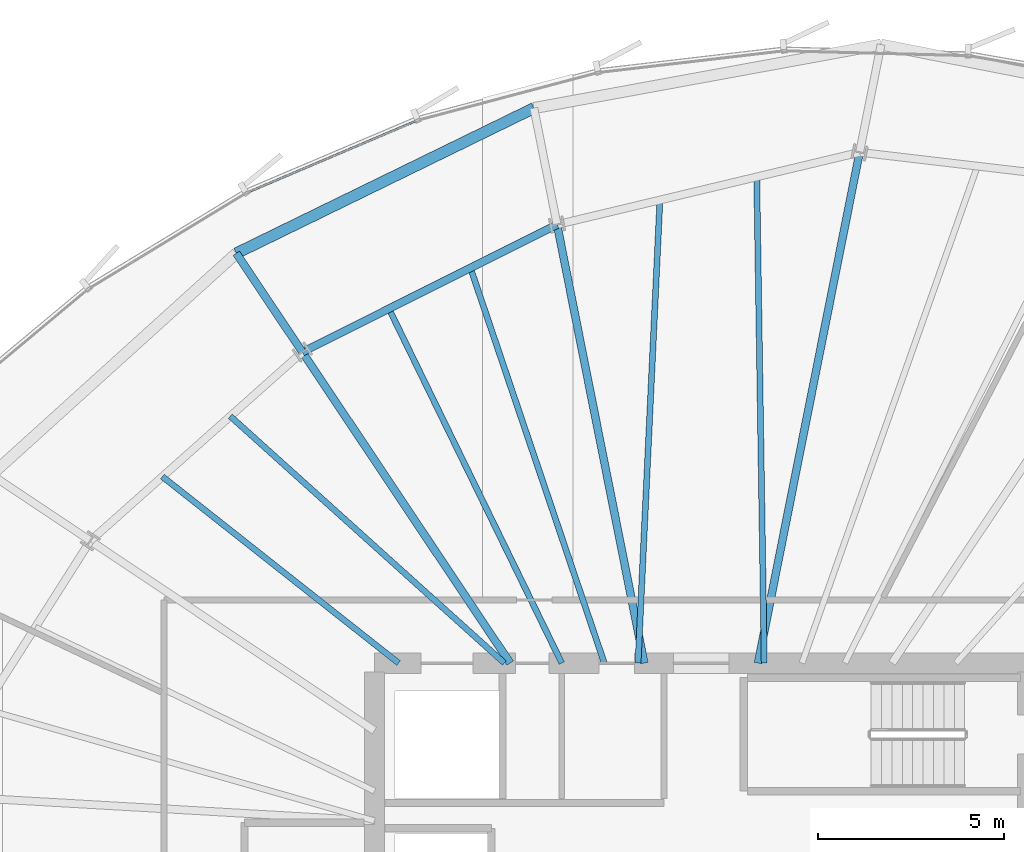
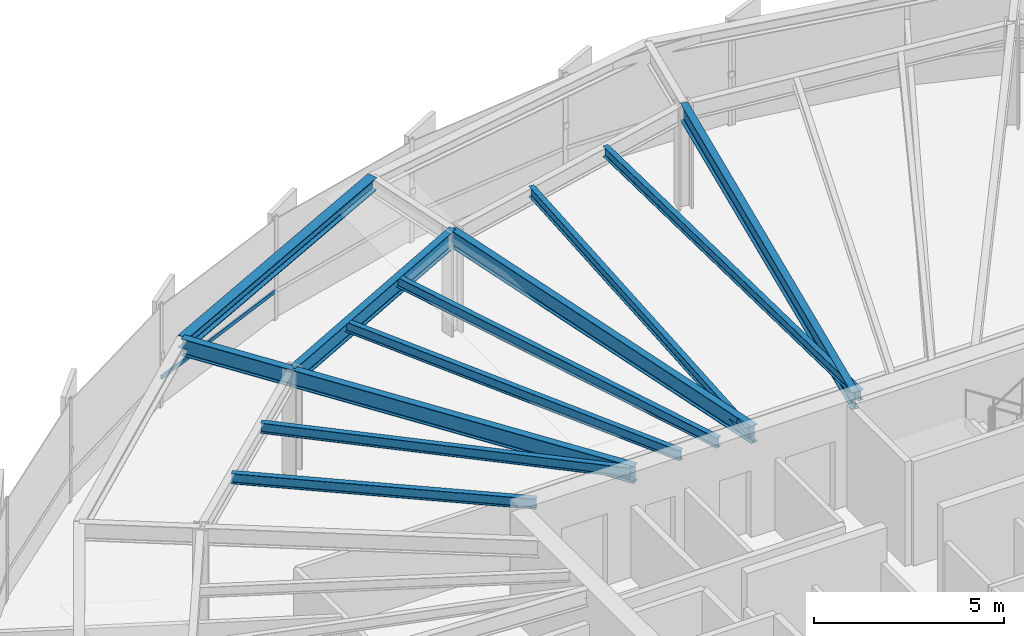
# One storey, part 20 of 33: 12 beams, 1 member, 1 element without a shape of its own.
"""IFC4 building model written with IfcOpenShell, lengths in metres."""

import ifcopenshell
import ifcopenshell.guid

model = None  # the IFC model being written
_history = None  # IfcOwnerHistory: only IFC2X3 demands one
_inside = {}  # id of a spatial element -> (the spatial element, [elements in it])
_under = {}  # id of a project, library or spatial element -> (it, [spatial elements below it])
_declared = {}  # id of a project -> (the project, [libraries it declares])
_typed = {}  # id of a type object -> (the type object, [elements of that type])
_made_of = {}  # id of a material, layer set ... -> (it, [elements and type objects made of it])


def new_model(schema):
    """Start an empty IFC model of exactly this schema.

    Asked for "IFC4X3", IfcOpenShell would pick the latest addendum, in which some entities
    have other attributes; the version numbers below select the first issue.
    IFC2X3 requires an IfcOwnerHistory on every rooted entity: one is made here for all.
    """
    global model, _history
    if schema == "IFC4X3":
        model = ifcopenshell.file(schema_version=(4, 3, 0, 0))
    else:
        model = ifcopenshell.file(schema=schema)
    _inside.clear()
    _under.clear()
    _declared.clear()
    _typed.clear()
    _made_of.clear()
    _history = None
    if model.schema == "IFC2X3":
        org = make("IfcOrganization", Name="unknown")
        user = make(
            "IfcPersonAndOrganization",
            ThePerson=make("IfcPerson", FamilyName="unknown"),
            TheOrganization=org,
        )
        app = make(
            "IfcApplication",
            ApplicationDeveloper=org,
            Version="unknown",
            ApplicationFullName="unknown",
            ApplicationIdentifier="unknown",
        )
        _history = make(
            "IfcOwnerHistory",
            OwningUser=user,
            OwningApplication=app,
            ChangeAction="ADDED",
            CreationDate=0,
        )
    return model


def make(cls, **values):
    """One entity of the class cls with the attributes given. An attribute that is None is left unset."""
    return model.create_entity(
        cls, **{name: value for name, value in values.items() if value is not None}
    )


def rooted(cls, **values):
    """An entity with a GlobalId (a new one), such as an element, a storey or a relation."""
    return make(cls, GlobalId=ifcopenshell.guid.new(), OwnerHistory=_history, **values)


def si_unit(unit_type, name, prefix=None):
    """IfcSIUnit, for example si_unit("LENGTHUNIT", "METRE", prefix="MILLI")."""
    return make("IfcSIUnit", UnitType=unit_type, Prefix=prefix, Name=name)


def assignment(units):
    """IfcUnitAssignment: the units of a project."""
    return None if units is None else make("IfcUnitAssignment", Units=units)


def point(xyz):
    """IfcCartesianPoint."""
    return None if xyz is None else make("IfcCartesianPoint", Coordinates=xyz)


def direction(xyz):
    """IfcDirection."""
    return None if xyz is None else make("IfcDirection", DirectionRatios=xyz)


def frame(location, z_axis=None, x_axis=None):
    """IfcAxis2Placement3D, a coordinate frame: its origin and axes. An axis left out is left unset."""
    return make(
        "IfcAxis2Placement3D",
        Location=point(location),
        Axis=direction(z_axis),
        RefDirection=direction(x_axis),
    )


def frame_2d(location, x_axis=None):
    """IfcAxis2Placement2D, a coordinate frame in the plane: its origin and x axis."""
    return make(
        "IfcAxis2Placement2D", Location=point(location), RefDirection=direction(x_axis)
    )


def origin():
    """The frame at (0, 0, 0) with its axes left unset."""
    return frame((0.0, 0.0, 0.0))


def origin_2d():
    """The frame at (0, 0) in the plane with its x axis left unset."""
    return frame_2d((0.0, 0.0))


def place(relative_to, where):
    """IfcLocalPlacement: puts the frame where relative to a parent placement (None: the world)."""
    return make(
        "IfcLocalPlacement", PlacementRelTo=relative_to, RelativePlacement=where
    )


def context(
    kind, dimensions, precision=None, world=None, true_north=None, identifier=None
):
    """IfcGeometricRepresentationContext, for example the 3D "Model" context."""
    return make(
        "IfcGeometricRepresentationContext",
        ContextIdentifier=identifier,
        ContextType=kind,
        CoordinateSpaceDimension=dimensions,
        Precision=precision,
        WorldCoordinateSystem=world,
        TrueNorth=true_north,
    )


def subcontext(parent, identifier, kind, view, scale=None):
    """IfcGeometricRepresentationSubContext, for example "Body" below "Model"."""
    return make(
        "IfcGeometricRepresentationSubContext",
        ContextIdentifier=identifier,
        ContextType=kind,
        ParentContext=parent,
        TargetScale=scale,
        TargetView=view,
    )


def project(units=None, contexts=None):
    """IfcProject with its units and contexts."""
    return rooted(
        "IfcProject",
        Name="project",
        RepresentationContexts=contexts,
        UnitsInContext=assignment(units),
    )


def spatial(cls, under=None, at=None, **own):
    """A site, building, storey or space (cls), placed at a placement, below another one or the project."""
    s = rooted(cls, ObjectPlacement=at, **own)
    if under is not None:
        _under.setdefault(under.id(), (under, []))[1].append(s)
    return s


def profile(cls, at=None, kind="AREA", **sizes):
    """A parametric profile (cls). Its sizes go by their IFC names, for example OverallWidth=200.0."""
    return make(cls, ProfileType=kind, Position=at, **sizes)


def hollow_rectangle(**sizes):
    """IfcRectangleHollowProfileDef."""
    return profile("IfcRectangleHollowProfileDef", **sizes)


def i_section(**sizes):
    """IfcIShapeProfileDef."""
    return profile("IfcIShapeProfileDef", **sizes)


def extrude(swept, where, along, depth):
    """IfcExtrudedAreaSolid: the profile swept, set in the frame where, extruded along a direction by depth."""
    return make(
        "IfcExtrudedAreaSolid",
        SweptArea=swept,
        Position=where,
        ExtrudedDirection=direction(along),
        Depth=depth,
    )


def shape(context_of_items, identifier, shape_type, items):
    """IfcShapeRepresentation: the items that make up one representation, for example the "Body"."""
    return make(
        "IfcShapeRepresentation",
        ContextOfItems=context_of_items,
        RepresentationIdentifier=identifier,
        RepresentationType=shape_type,
        Items=items,
    )


def source(mapping_origin, context_of_items, identifier, shape_type, items):
    """IfcRepresentationMap: a shape defined once, which mapped items show again and again."""
    return make(
        "IfcRepresentationMap",
        MappingOrigin=mapping_origin,
        MappedRepresentation=shape(context_of_items, identifier, shape_type, items),
    )


def transform(
    local_origin,
    x_axis=None,
    y_axis=None,
    z_axis=None,
    scale=None,
    scale2=None,
    scale3=None,
    uniform=True,
):
    """IfcCartesianTransformationOperator3D, or its non-uniform kind. x_axis, y_axis, z_axis: its Axis1, 2, 3."""
    if uniform:
        return make(
            "IfcCartesianTransformationOperator3D",
            Axis1=direction(x_axis),
            Axis2=direction(y_axis),
            LocalOrigin=point(local_origin),
            Scale=scale,
            Axis3=direction(z_axis),
        )
    return make(
        "IfcCartesianTransformationOperator3DnonUniform",
        Axis1=direction(x_axis),
        Axis2=direction(y_axis),
        LocalOrigin=point(local_origin),
        Scale=scale,
        Axis3=direction(z_axis),
        Scale2=scale2,
        Scale3=scale3,
    )


def mapped(mapping_source, mapping_target):
    """IfcMappedItem: shows the shape of a source again, moved by a transform."""
    return make(
        "IfcMappedItem", MappingSource=mapping_source, MappingTarget=mapping_target
    )


def material(Name=None, Category=None):
    """IfcMaterial."""
    return make("IfcMaterial", Name=Name, Category=Category)


def layer(
    of_material, thickness, ventilated=None, Name=None, Category=None, Priority=None
):
    """IfcMaterialLayer: one layer of a wall or slab, of a material (None: an air gap)."""
    return make(
        "IfcMaterialLayer",
        Material=of_material,
        LayerThickness=thickness,
        IsVentilated=ventilated,
        Name=Name,
        Category=Category,
        Priority=Priority,
    )


def layer_set(layers, Name=None):
    """IfcMaterialLayerSet."""
    return make("IfcMaterialLayerSet", MaterialLayers=layers, LayerSetName=Name)


def material_profile(
    of_material, cross_section, Name=None, Category=None, Priority=None
):
    """IfcMaterialProfile: a cross section and its material."""
    return make(
        "IfcMaterialProfile",
        Name=Name,
        Material=of_material,
        Profile=cross_section,
        Priority=Priority,
        Category=Category,
    )


def profile_set(profiles, Name=None, composite=None):
    """IfcMaterialProfileSet."""
    return make(
        "IfcMaterialProfileSet",
        Name=Name,
        MaterialProfiles=profiles,
        CompositeProfile=composite,
    )


def made_of(thing, what):
    """Note that an element or type object is made of a material, layer set ...; save() writes the relation."""
    if what is not None:
        _made_of.setdefault(what.id(), (what, []))[1].append(thing)
    return thing


def type_object(cls, material=None, **own):
    """A type object (cls), such as IfcWallType, which elements share."""
    return made_of(rooted(cls, **own), material)


def element(
    cls,
    number,
    at=None,
    inside=None,
    cuts=None,
    type_object=None,
    material=None,
    context=None,
    identifier="Body",
    shape_type=None,
    held_by="IfcProductDefinitionShape",
    body=None,
    shapes=None,
    **own,
):
    """One element of the class cls, such as IfcWall. Its Tag is "e" and its number.

    at: its placement. inside: the storey or other place that contains it. cuts: it is an
    opening in that element (IfcRelVoidsElement). A single representation is given by context,
    identifier, shape_type and body (its items); several are given by shapes. held_by: the class
    of the entity that holds the representations. save() writes the other relations.
    """
    e = rooted(cls, Tag="e%d" % number, ObjectPlacement=at, **own)
    if body is not None:
        shapes = [shape(context, identifier, shape_type, body)]
    if shapes is not None:
        e.Representation = make(held_by, Representations=shapes)
    if inside is not None:
        _inside.setdefault(inside.id(), (inside, []))[1].append(e)
    if cuts is not None:
        rooted(
            "IfcRelVoidsElement", RelatingBuildingElement=cuts, RelatedOpeningElement=e
        )
    if type_object is not None:
        _typed.setdefault(type_object.id(), (type_object, []))[1].append(e)
    return made_of(e, material)


def aggregate(whole, parts):
    """IfcRelAggregates: a whole, such as a stair, and the parts it consists of."""
    return rooted("IfcRelAggregates", RelatingObject=whole, RelatedObjects=parts)


def save(model, path):
    """Write the relations noted so far, then the file.

    IfcRelAggregates (storeys below a building ...), IfcRelContainedInSpatialStructure (elements
    in a storey), IfcRelDefinesByType, IfcRelAssociatesMaterial and IfcRelDeclares: one each for
    every whole, place, type object, material and project.
    """
    for whole, parts in _under.values():
        aggregate(whole, parts)
    for where, things in _inside.values():
        rooted(
            "IfcRelContainedInSpatialStructure",
            RelatedElements=things,
            RelatingStructure=where,
        )
    for kind, things in _typed.values():
        rooted("IfcRelDefinesByType", RelatedObjects=things, RelatingType=kind)
    for what, things in _made_of.values():
        rooted("IfcRelAssociatesMaterial", RelatedObjects=things, RelatingMaterial=what)
    for by, libraries in _declared.values():
        rooted("IfcRelDeclares", RelatingContext=by, RelatedDefinitions=libraries)
    model.write(path)


model = new_model("IFC4")

# Units and contexts
model_context = context("Model", 3, precision=1e-05, world=origin(), true_north=direction((0.0, 1.0)))
body_context = subcontext(model_context, "Body", "Model", "MODEL_VIEW")
ifc_project = project(units=[si_unit("LENGTHUNIT", "METRE"), si_unit("AREAUNIT", "SQUARE_METRE"), si_unit("VOLUMEUNIT", "CUBIC_METRE"), si_unit("PLANEANGLEUNIT", "RADIAN"), si_unit("MASSUNIT", "GRAM", prefix="KILO"), si_unit("THERMODYNAMICTEMPERATUREUNIT", "KELVIN")], contexts=[model_context])

# Site, building, storey
site_placement = place(None, origin())
site = spatial("IfcSite", under=ifc_project, at=site_placement, CompositionType="ELEMENT")
building_placement = place(site_placement, origin())
building = spatial("IfcBuilding", under=site, at=building_placement, Name="Kethvar Cultural Tower", CompositionType="ELEMENT")
storey_placement = place(building_placement, frame((0.0, 0.0, 110.800048828125)))
storey = spatial("IfcBuildingStorey", under=building, at=storey_placement, Name="L27", CompositionType="ELEMENT", Elevation=110.800048828125)

# Beams
ifc_material_1 = material(Name="Steel S355J2", Category="steel")
ifc_material_profile_1 = material_profile(ifc_material_1, i_section(OverallWidth=0.2099609375, OverallDepth=0.550048828125, WebThickness=0.010986328125, FlangeThickness=0.01708984375, FilletRadius=0.02392578125, at=origin_2d()), Name="Steel S355J2 — IPE550")
ifc_profile_set_1 = profile_set([ifc_material_profile_1], Name="Steel S355J2 — IPE550")
beam_type_1 = type_object("IfcBeamType", Name="BM-IPE550", PredefinedType="BEAM", material=ifc_profile_set_1)
shared_shape_1 = source(origin(), body_context, "Body", "SweptSolid", [
    extrude(i_section(OverallWidth=0.2099609375, OverallDepth=0.550048828125, WebThickness=0.010986328125, FlangeThickness=0.01708984375, FilletRadius=0.02392578125, at=origin_2d()), origin(), (0.0, 0.0, 1.0), 3.2001953125),
])
beam_1_placement = place(storey_placement, frame((36.0576171875, 43.877197265625, 3.072998046875), z_axis=(-0.555544970406, 0.831486491686, 0.0), x_axis=(-0.831486491686, -0.555544970406, 0.0)))
element("IfcBeam", 1, at=beam_1_placement, inside=storey, type_object=beam_type_1, Name="L27 Perimeter Cantilever Beam RC-06", PredefinedType="BEAM", context=body_context, shape_type="MappedRepresentation", body=[
    mapped(shared_shape_1, transform((0.0, 0.0, 0.0), scale=1.0)),
])
shared_shape_2 = source(origin(), body_context, "Body", "SweptSolid", [
    extrude(i_section(OverallWidth=0.2099609375, OverallDepth=0.550048828125, WebThickness=0.010986328125, FlangeThickness=0.01708984375, FilletRadius=0.02392578125, at=origin_2d()), origin(), (0.0, 0.0, 1.0), 14.02880859375),
])
beam_2_placement = place(storey_placement, frame((48.33154296875, 35.5, 3.072998046875), z_axis=(0.195101986683, 0.980782960085, 0.0), x_axis=(-0.980782960085, 0.195101986683, 0.0)))
element("IfcBeam", 2, at=beam_2_placement, inside=storey, type_object=beam_type_1, Name="L27 Primary Radial Beam RB-04", PredefinedType="BEAM", context=body_context, shape_type="MappedRepresentation", body=[
    mapped(shared_shape_2, transform((0.0, 0.0, 0.0), scale=1.0)),
])
shared_shape_3 = source(origin(), body_context, "Body", "SweptSolid", [
    extrude(i_section(OverallWidth=0.2099609375, OverallDepth=0.550048828125, WebThickness=0.010986328125, FlangeThickness=0.01708984375, FilletRadius=0.02392578125, at=origin_2d()), origin(), (0.0, 0.0, 1.0), 12.042724609375),
])
beam_3_placement = place(storey_placement, frame((45.268310546875, 35.5, 3.072998046875), z_axis=(-0.195086784047, 0.980785984142, 0.0), x_axis=(-0.980785984142, -0.195086784047, 0.0)))
element("IfcBeam", 3, at=beam_3_placement, inside=storey, type_object=beam_type_1, Name="L27 Primary Radial Beam RB-05", PredefinedType="BEAM", context=body_context, shape_type="MappedRepresentation", body=[
    mapped(shared_shape_3, transform((0.0, 0.0, 0.0), scale=1.0)),
])
shared_shape_4 = source(origin(), body_context, "Body", "SweptSolid", [
    extrude(i_section(OverallWidth=0.2099609375, OverallDepth=0.550048828125, WebThickness=0.010986328125, FlangeThickness=0.01708984375, FilletRadius=0.02392578125, at=origin_2d()), origin(), (0.0, 0.0, 1.0), 10.0751953125),
])
beam_4_placement = place(storey_placement, frame((41.655029296875, 35.5, 3.072998046875), z_axis=(-0.555566654614, 0.831472003305, 0.0), x_axis=(-0.831472003305, -0.555566654614, 0.0)))
element("IfcBeam", 4, at=beam_4_placement, inside=storey, type_object=beam_type_1, Name="L27 Primary Radial Beam RB-06", PredefinedType="BEAM", context=body_context, shape_type="MappedRepresentation", body=[
    mapped(shared_shape_4, transform((0.0, 0.0, 0.0), scale=1.0)),
])
ifc_material_profile_2 = material_profile(ifc_material_1, i_section(OverallWidth=0.159912109375, OverallDepth=0.330078125, WebThickness=0.007568359375, FlangeThickness=0.011474609375, FilletRadius=0.01806640625, at=origin_2d()), Name="Steel S355J2 — IPE330")
ifc_profile_set_2 = profile_set([ifc_material_profile_2], Name="Steel S355J2 — IPE330")
beam_type_2 = type_object("IfcBeamType", Name="BM-J330", PredefinedType="JOIST", material=ifc_profile_set_2)
shared_shape_5 = source(origin(), body_context, "Body", "SweptSolid", [
    extrude(i_section(OverallWidth=0.159912109375, OverallDepth=0.330078125, WebThickness=0.007568359375, FlangeThickness=0.011474609375, FilletRadius=0.01806640625, at=origin_2d()), origin(), (0.0, 0.0, 1.0), 13.098388671875),
])
beam_5_placement = place(storey_placement, frame((48.5, 35.5, 3.182861328125), z_axis=(-0.015451599057, 0.999880616917, 0.0), x_axis=(-0.999880616917, -0.015451599057, 0.0)))
element("IfcBeam", 5, at=beam_5_placement, inside=storey, type_object=beam_type_2, Name="L27 Composite Floor Joist J-04A", PredefinedType="JOIST", context=body_context, shape_type="MappedRepresentation", body=[
    mapped(shared_shape_5, transform((0.0, 0.0, 0.0), scale=1.0)),
])
shared_shape_6 = source(origin(), body_context, "Body", "SweptSolid", [
    extrude(i_section(OverallWidth=0.159912109375, OverallDepth=0.330078125, WebThickness=0.007568359375, FlangeThickness=0.011474609375, FilletRadius=0.01806640625, at=origin_2d()), origin(), (0.0, 0.0, 1.0), 12.487548828125),
])
beam_6_placement = place(storey_placement, frame((45.10009765625, 35.5, 3.182861328125), z_axis=(0.047214958818, 0.998884751943, 0.0), x_axis=(-0.998884751943, 0.047214958818, 0.0)))
element("IfcBeam", 6, at=beam_6_placement, inside=storey, type_object=beam_type_2, Name="L27 Composite Floor Joist J-04B", PredefinedType="JOIST", context=body_context, shape_type="MappedRepresentation", body=[
    mapped(shared_shape_6, transform((0.0, 0.0, 0.0), scale=1.0)),
])
shared_shape_7 = source(origin(), body_context, "Body", "SweptSolid", [
    extrude(i_section(OverallWidth=0.2099609375, OverallDepth=0.550048828125, WebThickness=0.010986328125, FlangeThickness=0.01708984375, FilletRadius=0.02392578125, at=origin_2d()), origin(), (0.0, 0.0, 1.0), 7.672607421875),
])
beam_7_placement = place(storey_placement, frame((42.9189453125, 47.311279296875, 3.072998046875), z_axis=(-0.894248932057, -0.447569935892, 0.0), x_axis=(0.447569935892, -0.894248932057, 0.0)))
element("IfcBeam", 7, at=beam_7_placement, inside=storey, type_object=beam_type_1, Name="L27 Column Ring Tie Beam CR-05", PredefinedType="BEAM", context=body_context, shape_type="MappedRepresentation", body=[
    mapped(shared_shape_7, transform((0.0, 0.0, 0.0), scale=1.0)),
])
shared_shape_8 = source(origin(), body_context, "Body", "SweptSolid", [
    extrude(i_section(OverallWidth=0.159912109375, OverallDepth=0.330078125, WebThickness=0.007568359375, FlangeThickness=0.011474609375, FilletRadius=0.01806640625, at=origin_2d()), origin(), (0.0, 0.0, 1.0), 11.23779296875),
])
beam_8_placement = place(storey_placement, frame((44.191650390625, 35.5, 3.182861328125), z_axis=(-0.32083186626, 0.94713616423, 0.0), x_axis=(-0.94713616423, -0.32083186626, 0.0)))
element("IfcBeam", 8, at=beam_8_placement, inside=storey, type_object=beam_type_2, Name="L27 Composite Floor Joist J-05A", PredefinedType="JOIST", context=body_context, shape_type="MappedRepresentation", body=[
    mapped(shared_shape_8, transform((0.0, 0.0, 0.0), scale=1.0)),
])
shared_shape_9 = source(origin(), body_context, "Body", "SweptSolid", [
    extrude(i_section(OverallWidth=0.159912109375, OverallDepth=0.330078125, WebThickness=0.007568359375, FlangeThickness=0.011474609375, FilletRadius=0.01806640625, at=origin_2d()), origin(), (0.0, 0.0, 1.0), 10.619384765625),
])
beam_9_placement = place(storey_placement, frame((43.044921875, 35.5, 3.182861328125), z_axis=(-0.438308125028, 0.898824781331, 0.0), x_axis=(-0.898824781331, -0.438308125028, 0.0)))
element("IfcBeam", 9, at=beam_9_placement, inside=storey, type_object=beam_type_2, Name="L27 Composite Floor Joist J-05B", PredefinedType="JOIST", context=body_context, shape_type="MappedRepresentation", body=[
    mapped(shared_shape_9, transform((0.0, 0.0, 0.0), scale=1.0)),
])
shared_shape_10 = source(origin(), body_context, "Body", "SweptSolid", [
    extrude(i_section(OverallWidth=0.159912109375, OverallDepth=0.330078125, WebThickness=0.007568359375, FlangeThickness=0.011474609375, FilletRadius=0.01806640625, at=origin_2d()), origin(), (0.0, 0.0, 1.0), 9.93701171875),
])
beam_10_placement = place(storey_placement, frame((41.5, 35.5, 3.182861328125), z_axis=(-0.743138974967, 0.669137103952, 0.0), x_axis=(-0.669137103952, -0.743138974967, 0.0)))
element("IfcBeam", 10, at=beam_10_placement, inside=storey, type_object=beam_type_2, Name="L27 Composite Floor Joist J-06A", PredefinedType="JOIST", context=body_context, shape_type="MappedRepresentation", body=[
    mapped(shared_shape_10, transform((0.0, 0.0, 0.0), scale=1.0)),
])
shared_shape_11 = source(origin(), body_context, "Body", "SweptSolid", [
    extrude(i_section(OverallWidth=0.159912109375, OverallDepth=0.330078125, WebThickness=0.007568359375, FlangeThickness=0.011474609375, FilletRadius=0.01806640625, at=origin_2d()), origin(), (0.0, 0.0, 1.0), 8.105712890625),
])
beam_11_placement = place(storey_placement, frame((38.64990234375, 35.5, 3.182861328125), z_axis=(-0.784895872164, 0.619627686486, 0.0), x_axis=(-0.619627686486, -0.784895872164, 0.0)))
element("IfcBeam", 11, at=beam_11_placement, inside=storey, type_object=beam_type_2, Name="L27 Composite Floor Joist J-06B", PredefinedType="JOIST", context=body_context, shape_type="MappedRepresentation", body=[
    mapped(shared_shape_11, transform((0.0, 0.0, 0.0), scale=1.0)),
])
ifc_material_profile_3 = material_profile(ifc_material_1, i_section(OverallWidth=0.300048828125, OverallDepth=0.39990234375, WebThickness=0.013427734375, FlangeThickness=0.02392578125, FilletRadius=0.027099609375, at=origin_2d()), Name="Steel S355J2 — HEB400")
ifc_profile_set_3 = profile_set([ifc_material_profile_3], Name="Steel S355J2 — HEB400")
beam_type_3 = type_object("IfcBeamType", Name="BM-SP400", PredefinedType="SPANDREL", material=ifc_profile_set_3)
shared_shape_12 = source(origin(), body_context, "Body", "SweptSolid", [
    extrude(i_section(OverallWidth=0.300048828125, OverallDepth=0.39990234375, WebThickness=0.013427734375, FlangeThickness=0.02392578125, FilletRadius=0.027099609375, at=origin_2d()), origin(), (0.0, 0.0, 1.0), 8.91845703125),
])
beam_12_placement = place(storey_placement, frame((42.294677734375, 50.44970703125, 3.14794921875), z_axis=(-0.898683713341, -0.438597290662, 0.0), x_axis=(0.438597290662, -0.898683713341, 0.0)))
element("IfcBeam", 12, at=beam_12_placement, inside=storey, type_object=beam_type_3, Name="L27 Perimeter Spandrel Beam SP-05", PredefinedType="SPANDREL", context=body_context, shape_type="MappedRepresentation", body=[
    mapped(shared_shape_12, transform((0.0, 0.0, 0.0), scale=1.0)),
])

# Curtain wall, member
ifc_material_2 = material(Name="Aluminium 6063-T6", Category="aluminium")
ifc_layer = layer(ifc_material_2, 0.179931640625, Name="Aluminium 6063-T6", Category="aluminium")
ifc_layer_set = layer_set([ifc_layer], Name="Aluminium 6063-T6 (180 mm)")
curtain_wall_type = type_object("IfcCurtainWallType", Name="CW-SYS-03-Z2", PredefinedType="NOTDEFINED", material=ifc_layer_set)
curtain_wall_placement = place(storey_placement, origin())
curtain_wall = element("IfcCurtainWall", 13, at=curtain_wall_placement, inside=storey, type_object=curtain_wall_type, Name="L27 Curtain Wall Run 02", PredefinedType="NOTDEFINED")
ifc_material_profile_4 = material_profile(ifc_material_2, hollow_rectangle(XDim=0.054931640625, YDim=0.1201171875, WallThickness=0.00390625, at=origin_2d()), Name="Aluminium 6063-T6 — RHS120x55x4")
ifc_profile_set_4 = profile_set([ifc_material_profile_4], Name="Aluminium 6063-T6 — RHS120x55x4")
member_type = type_object("IfcMemberType", Name="CW-SYS-03-Z2-TRN", PredefinedType="USERDEFINED", material=ifc_profile_set_4)
shared_shape_13 = source(origin(), body_context, "Body", "SweptSolid", [
    extrude(hollow_rectangle(XDim=0.054931640625, YDim=0.1201171875, WallThickness=0.00390625, at=origin_2d()), origin(), (0.0, 0.0, 1.0), 4.948486328125),
])
member_placement = place(storey_placement, frame((39.125732421875, 50.107421875, 0.949951171875), z_axis=(-0.920476931988, -0.390796900803, 0.0), x_axis=(0.390796900803, -0.920476931988, 0.0)))
member = element("IfcMember", 14, at=member_placement, type_object=member_type, Name="CW-L27-R02 Transom 4", ObjectType="TRANSOM", PredefinedType="USERDEFINED", context=body_context, shape_type="MappedRepresentation", body=[
    mapped(shared_shape_13, transform((0.0, 0.0, 0.0), scale=1.0)),
])
aggregate(curtain_wall, [member])

save(model, "model.ifc")
